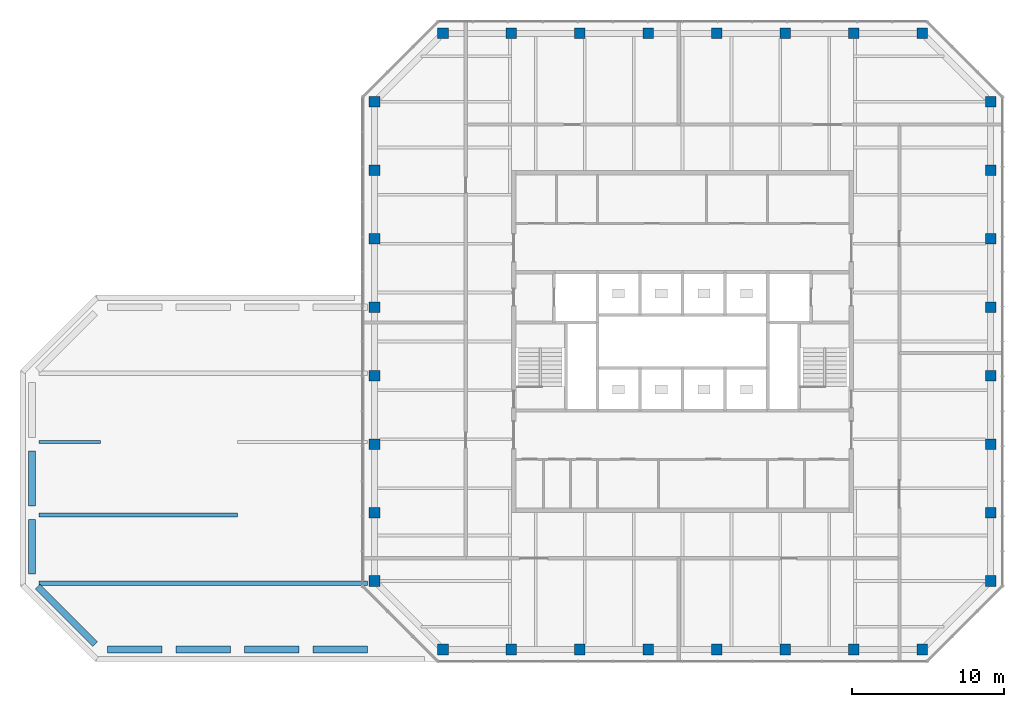
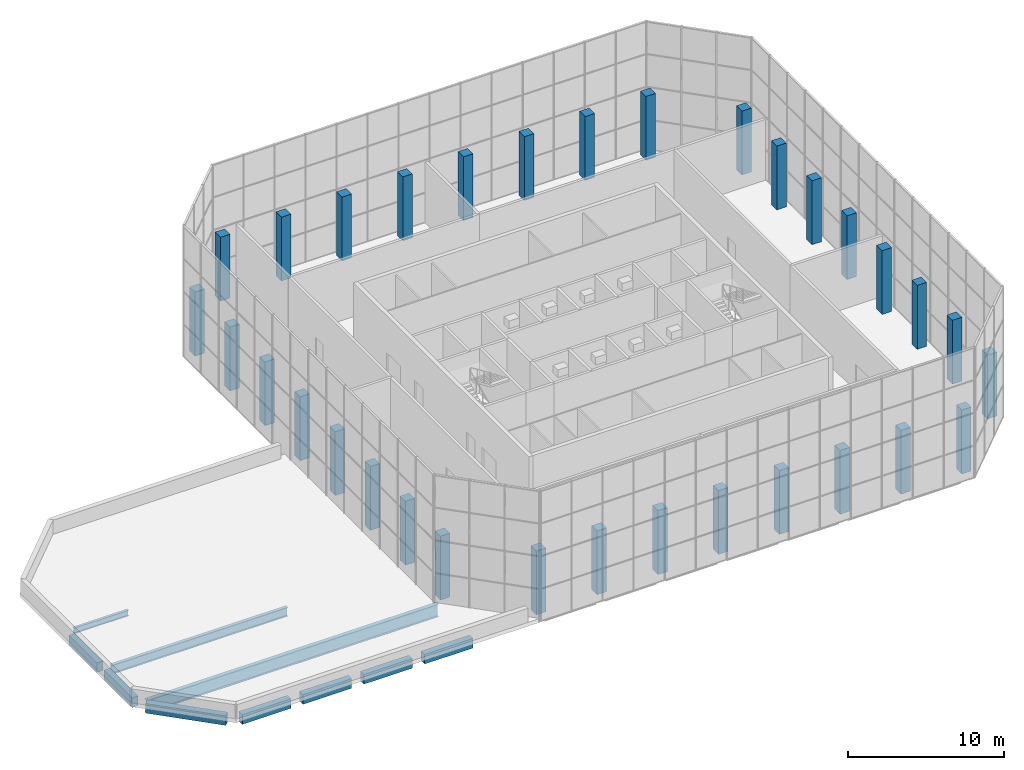
# One storey, part 1 of 19: 32 columns, 10 beams.
"""IFC4 building model written with IfcOpenShell, lengths in metres."""

from ifc_helpers import new_model, si_unit, direction, frame, origin, origin_2d, place, context, subcontext, project, spatial, rectangle, i_section, extrude, material, material_profile, profile_set, type_object, element, save


model = new_model("IFC4")

# Units and contexts
model_context = context("Model", 3, precision=1e-05, world=origin(), true_north=direction((0.0, 1.0)))
body_context = subcontext(model_context, "Body", "Model", "MODEL_VIEW")
ifc_project = project(units=[si_unit("LENGTHUNIT", "METRE"), si_unit("AREAUNIT", "SQUARE_METRE"), si_unit("VOLUMEUNIT", "CUBIC_METRE"), si_unit("PLANEANGLEUNIT", "RADIAN"), si_unit("MASSUNIT", "GRAM", prefix="KILO")], contexts=[model_context])

# Site, building, storey
site_placement = place(None, origin())
site = spatial("IfcSite", under=ifc_project, at=site_placement, CompositionType="ELEMENT")
building_placement = place(site_placement, origin())
building = spatial("IfcBuilding", under=site, at=building_placement, Name="Quoin Convention Tower", CompositionType="ELEMENT")
storey_placement = place(building_placement, frame((0.0, 0.0, 263.699951171875)))
storey = spatial("IfcBuildingStorey", under=building, at=storey_placement, Name="L69", CompositionType="ELEMENT", Elevation=263.699951171875)

# Columns
ifc_material_1 = material(Name="Concrete C40", Category="concrete")
ifc_material_profile_1 = material_profile(ifc_material_1, rectangle(XDim=0.699951171875, YDim=0.699951171875, at=origin_2d()), Name="RC 700x700")
ifc_profile_set_1 = profile_set([ifc_material_profile_1], Name="Concrete C40")
column_type = type_object("IfcColumnType", Name="RC 700x700 C40", PredefinedType="COLUMN", material=ifc_profile_set_1)
for number, where, z_axis, x_axis, name in (
    (1, (40.5, 40.5, 0.0), (0.0, 0.0, 1.0), (1.0, 0.0, 0.0), "col-L69-40500_40500"),
    (2, (45.0, 40.5, 0.0), (0.0, 0.0, 1.0), (1.0, 0.0, 0.0), "col-L69-45000_40500"),
    (3, (49.5, 40.5, 0.0), (0.0, 0.0, 1.0), (1.0, 0.0, 0.0), "col-L69-49500_40500"),
    (4, (54.0, 40.5, 0.0), (0.0, 0.0, 1.0), (1.0, 0.0, 0.0), "col-L69-54000_40500"),
    (5, (58.5, 40.5, 0.0), (0.0, 0.0, 1.0), (1.0, 0.0, 0.0), "col-L69-58500_40500"),
    (6, (63.0, 40.5, 0.0), (0.0, 0.0, 1.0), (1.0, 0.0, 0.0), "col-L69-63000_40500"),
    (7, (67.5, 40.5, 0.0), (0.0, 0.0, 1.0), (1.0, 0.0, 0.0), "col-L69-67500_40500"),
    (8, (72.0, 40.5, 0.0), (0.0, 0.0, 1.0), (1.0, 0.0, 0.0), "col-L69-72000_40500"),
    (9, (36.0, 45.0, 0.0), (0.0, 0.0, 1.0), (1.0, 0.0, 0.0), "col-L69-36000_45000"),
    (10, (76.5, 45.0, 0.0), (0.0, 0.0, 1.0), (1.0, 0.0, 0.0), "col-L69-76500_45000"),
    (11, (36.0, 49.5, 0.0), (0.0, 0.0, 1.0), (1.0, 0.0, 0.0), "col-L69-36000_49500"),
    (12, (76.5, 49.5, 0.0), (0.0, 0.0, 1.0), (1.0, 0.0, 0.0), "col-L69-76500_49500"),
    (13, (36.0, 54.0, 0.0), (0.0, 0.0, 1.0), (1.0, 0.0, 0.0), "col-L69-36000_54000"),
    (14, (76.5, 54.0, 0.0), (0.0, 0.0, 1.0), (1.0, 0.0, 0.0), "col-L69-76500_54000"),
    (15, (36.0, 58.5, 0.0), (0.0, 0.0, 1.0), (1.0, 0.0, 0.0), "col-L69-36000_58500"),
    (16, (76.5, 58.5, 0.0), (0.0, 0.0, 1.0), (1.0, 0.0, 0.0), "col-L69-76500_58500"),
    (17, (36.0, 63.0, 0.0), (0.0, 0.0, 1.0), (1.0, 0.0, 0.0), "col-L69-36000_63000"),
    (18, (76.5, 63.0, 0.0), (0.0, 0.0, 1.0), (1.0, 0.0, 0.0), "col-L69-76500_63000"),
    (19, (36.0, 67.5, 0.0), (0.0, 0.0, 1.0), (1.0, 0.0, 0.0), "col-L69-36000_67500"),
    (20, (76.5, 67.5, 0.0), (0.0, 0.0, 1.0), (1.0, 0.0, 0.0), "col-L69-76500_67500"),
    (21, (36.0, 72.0, 0.0), (0.0, 0.0, 1.0), (1.0, 0.0, 0.0), "col-L69-36000_72000"),
    (22, (76.5, 72.0, 0.0), (0.0, 0.0, 1.0), (1.0, 0.0, 0.0), "col-L69-76500_72000"),
    (23, (36.0, 76.5, 0.0), (0.0, 0.0, 1.0), (1.0, 0.0, 0.0), "col-L69-36000_76500"),
    (24, (76.5, 76.5, 0.0), (0.0, 0.0, 1.0), (1.0, 0.0, 0.0), "col-L69-76500_76500"),
    (25, (40.5, 81.0, 0.0), (0.0, 0.0, 1.0), (1.0, 0.0, 0.0), "col-L69-40500_81000"),
    (26, (45.0, 81.0, 0.0), (0.0, 0.0, 1.0), (1.0, 0.0, 0.0), "col-L69-45000_81000"),
    (27, (49.5, 81.0, 0.0), (0.0, 0.0, 1.0), (1.0, 0.0, 0.0), "col-L69-49500_81000"),
    (28, (54.0, 81.0, 0.0), (0.0, 0.0, 1.0), (1.0, 0.0, 0.0), "col-L69-54000_81000"),
    (29, (58.5, 81.0, 0.0), (0.0, 0.0, 1.0), (1.0, 0.0, 0.0), "col-L69-58500_81000"),
    (30, (63.0, 81.0, 0.0), (0.0, 0.0, 1.0), (1.0, 0.0, 0.0), "col-L69-63000_81000"),
    (31, (67.5, 81.0, 0.0), (0.0, 0.0, 1.0), (1.0, 0.0, 0.0), "col-L69-67500_81000"),
    (32, (72.0, 81.0, 0.0), (0.0, 0.0, 1.0), (1.0, 0.0, 0.0), "col-L69-72000_81000"),
):
    element("IfcColumn", number, at=place(storey_placement, frame(where, z_axis=z_axis, x_axis=x_axis)), inside=storey, type_object=column_type, Name=name, PredefinedType="COLUMN", context=body_context, shape_type="SweptSolid", body=[
        extrude(rectangle(XDim=0.699951171875, YDim=0.699951171875, at=origin_2d()), origin(), (0.0, 0.0, 1.0), 5.0),
    ])

# Beams
ifc_material_2 = material(Name="Steel Grade 300", Category="steel")
ifc_material_profile_2 = material_profile(ifc_material_2, i_section(OverallWidth=0.300048828125, OverallDepth=1.0, WebThickness=0.01611328125, FlangeThickness=0.02001953125, at=origin_2d()), Name="1000WB215")
ifc_profile_set_2 = profile_set([ifc_material_profile_2], Name="Steel Grade 300")
beam_type_1 = type_object("IfcBeamType", Name="1000WB215", PredefinedType="BEAM", material=ifc_profile_set_2)
beam_1_placement = place(storey_placement, frame((13.949951171875, 44.85009765625, -0.800048828125), z_axis=(1.0, 0.0, 0.0), x_axis=(0.0, 1.0, 0.0)))
element("IfcBeam", 33, at=beam_1_placement, inside=storey, type_object=beam_type_1, Name="gir-L69-RT2-1-0", PredefinedType="BEAM", context=body_context, shape_type="SweptSolid", body=[
    extrude(i_section(OverallWidth=0.300048828125, OverallDepth=1.0, WebThickness=0.01611328125, FlangeThickness=0.02001953125, at=origin_2d()), origin(), (0.0, 0.0, 1.0), 21.60009765625),
])
ifc_material_profile_3 = material_profile(ifc_material_2, i_section(OverallWidth=0.18994140625, OverallDepth=0.4541015625, WebThickness=0.008544921875, FlangeThickness=0.0126953125, FilletRadius=0.011474609375, at=origin_2d()), Name="460UB67.1")
ifc_profile_set_3 = profile_set([ifc_material_profile_3], Name="Steel Grade 300")
beam_type_2 = type_object("IfcBeamType", Name="460UB67.1", PredefinedType="BEAM", material=ifc_profile_set_3)
beam_2_placement = place(storey_placement, frame((13.949951171875, 54.14990234375, -0.52685546875), z_axis=(1.0, 0.0, 0.0), x_axis=(0.0, 1.0, 0.0)))
element("IfcBeam", 34, at=beam_2_placement, inside=storey, type_object=beam_type_2, Name="gir-L69-RT2-3-0", PredefinedType="BEAM", context=body_context, shape_type="SweptSolid", body=[
    extrude(i_section(OverallWidth=0.18994140625, OverallDepth=0.4541015625, WebThickness=0.008544921875, FlangeThickness=0.0126953125, FilletRadius=0.011474609375, at=origin_2d()), origin(), (0.0, 0.0, 1.0), 4.050048828125),
])
ifc_material_profile_4 = material_profile(ifc_material_2, i_section(OverallWidth=0.25, OverallDepth=0.699951171875, WebThickness=0.010009765625, FlangeThickness=0.02001953125, at=origin_2d()), Name="700WB130")
ifc_profile_set_4 = profile_set([ifc_material_profile_4], Name="Steel Grade 300")
beam_type_3 = type_object("IfcBeamType", Name="700WB130", PredefinedType="BEAM", material=ifc_profile_set_4)
beam_3_placement = place(storey_placement, frame((13.949951171875, 49.35009765625, -0.64990234375), z_axis=(1.0, 0.0, 0.0), x_axis=(0.0, 1.0, 0.0)))
element("IfcBeam", 35, at=beam_3_placement, inside=storey, type_object=beam_type_3, Name="gir-L69-RT2-2-0", PredefinedType="BEAM", context=body_context, shape_type="SweptSolid", body=[
    extrude(i_section(OverallWidth=0.25, OverallDepth=0.699951171875, WebThickness=0.010009765625, FlangeThickness=0.02001953125, at=origin_2d()), origin(), (0.0, 0.0, 1.0), 13.050048828125),
])
ifc_material_3 = material(Name="Concrete C50", Category="concrete")
ifc_material_profile_5 = material_profile(ifc_material_3, rectangle(XDim=0.449951171875, YDim=0.75, at=origin_2d()), Name="RC 450x750")
ifc_profile_set_5 = profile_set([ifc_material_profile_5], Name="Concrete C50")
beam_type_4 = type_object("IfcBeamType", Name="RC 450x750 C50", PredefinedType="SPANDREL", material=ifc_profile_set_5)
for number, where, z_axis, x_axis, name in (
    (36, (13.5, 53.550048828125, -0.675048828125), (0.0, -1.0, 0.0), (1.0, 0.0, 0.0), "spd-L69-rf-13500_54000-13500_49500"),
    (37, (13.5, 49.050048828125, -0.675048828125), (0.0, -1.0, 0.0), (1.0, 0.0, 0.0), "spd-L69-rf-13500_49500-13500_45000"),
):
    element("IfcBeam", number, at=place(storey_placement, frame(where, z_axis=z_axis, x_axis=x_axis)), inside=storey, type_object=beam_type_4, Name=name, PredefinedType="SPANDREL", context=body_context, shape_type="SweptSolid", body=[
        extrude(rectangle(XDim=0.449951171875, YDim=0.75, at=origin_2d()), origin(), (0.0, 0.0, 1.0), 3.60009765625),
    ])
beam_4_placement = place(storey_placement, frame((13.864990234375, 44.635009765625, -0.675048828125), z_axis=(0.707106781187, -0.707106781187, 0.0), x_axis=(0.707106781187, 0.707106781187, 0.0)))
element("IfcBeam", 38, at=beam_4_placement, inside=storey, type_object=beam_type_4, Name="spd-L69-rf-13500_45000-18000_40500", PredefinedType="SPANDREL", context=body_context, shape_type="SweptSolid", body=[
    extrude(rectangle(XDim=0.449951171875, YDim=0.75, at=origin_2d()), origin(), (0.0, 0.0, 1.0), 5.33154296875),
])
for number, where, z_axis, x_axis, name in (
    (39, (18.449951171875, 40.5, -0.675048828125), (1.0, 0.0, 0.0), (0.0, 1.0, 0.0), "spd-L69-rf-18000_40500-22500_40500"),
    (40, (22.949951171875, 40.5, -0.675048828125), (1.0, 0.0, 0.0), (0.0, 1.0, 0.0), "spd-L69-rf-22500_40500-27000_40500"),
    (41, (27.449951171875, 40.5, -0.675048828125), (1.0, 0.0, 0.0), (0.0, 1.0, 0.0), "spd-L69-rf-27000_40500-31500_40500"),
    (42, (31.949951171875, 40.5, -0.675048828125), (1.0, 0.0, 0.0), (0.0, 1.0, 0.0), "spd-L69-rf-31500_40500-36000_40500"),
):
    element("IfcBeam", number, at=place(storey_placement, frame(where, z_axis=z_axis, x_axis=x_axis)), inside=storey, type_object=beam_type_4, Name=name, PredefinedType="SPANDREL", context=body_context, shape_type="SweptSolid", body=[
        extrude(rectangle(XDim=0.449951171875, YDim=0.75, at=origin_2d()), origin(), (0.0, 0.0, 1.0), 3.60009765625),
    ])

save(model, "model.ifc")
